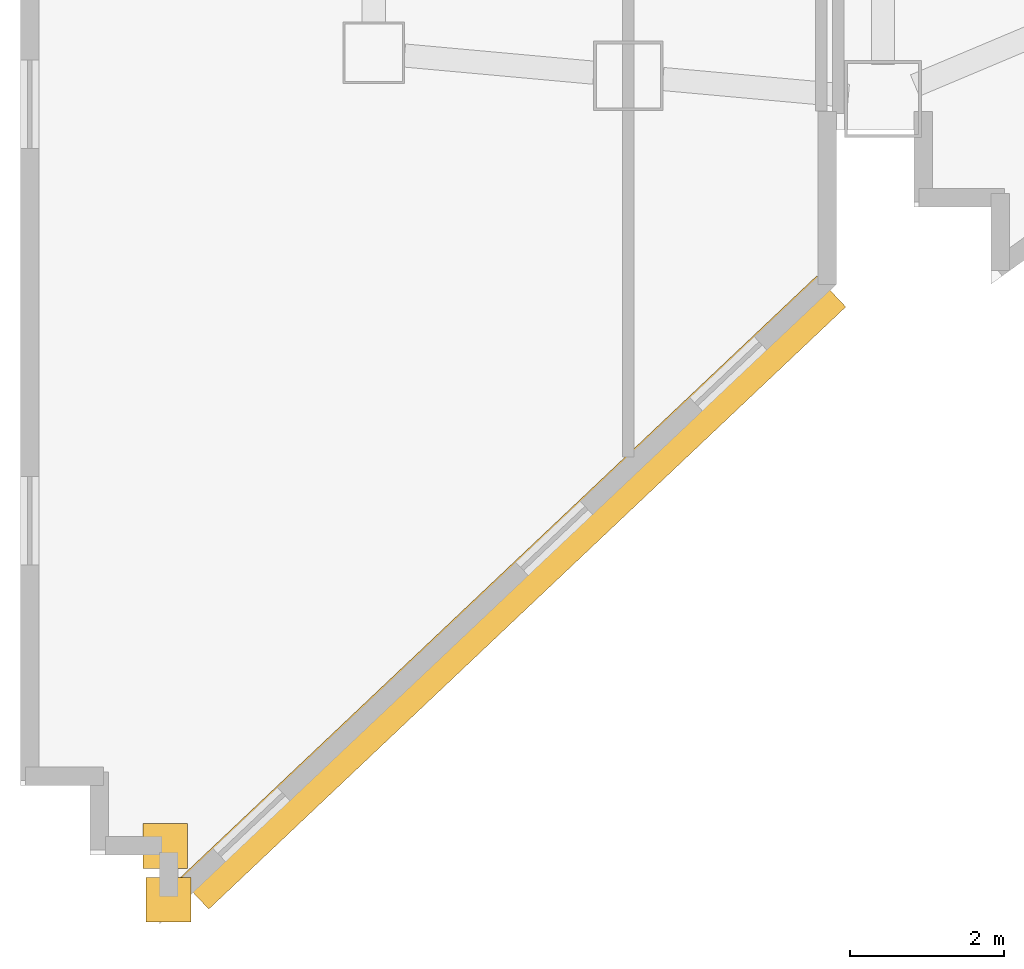
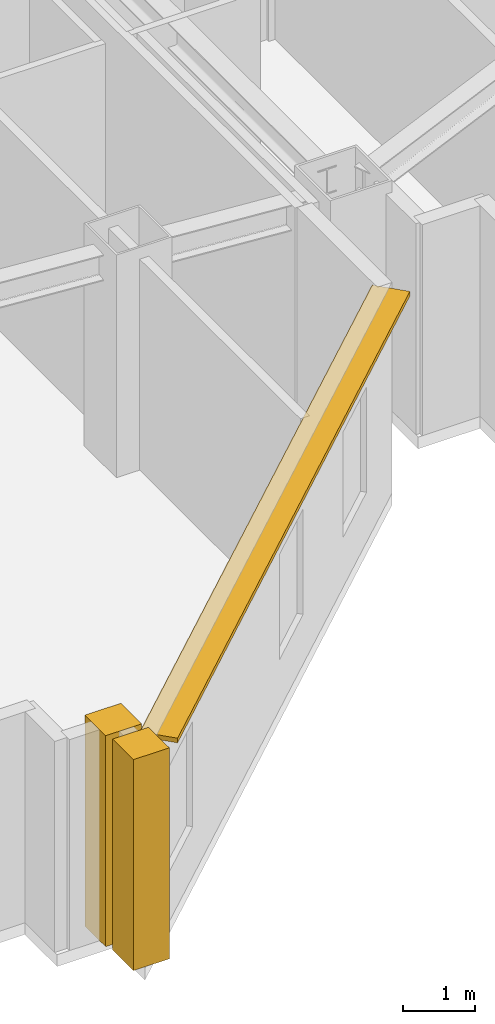
# One storey, part 12 of 13: 2 coverings, 1 shading device.
"""IFC4 building model written with IfcOpenShell, lengths in metres."""

from ifc_helpers import new_model, si_unit, direction, frame, origin, origin_2d, place, context, subcontext, project, spatial, rectangle, extrude, material, layer, layer_set, type_object, element, save


model = new_model("IFC4")

# Units and contexts
model_context = context("Model", 3, precision=1e-05, world=origin(), true_north=direction((0.0, 1.0)))
body_context = subcontext(model_context, "Body", "Model", "MODEL_VIEW")
ifc_project = project(units=[si_unit("LENGTHUNIT", "METRE"), si_unit("AREAUNIT", "SQUARE_METRE"), si_unit("VOLUMEUNIT", "CUBIC_METRE"), si_unit("PLANEANGLEUNIT", "RADIAN"), si_unit("MASSUNIT", "GRAM", prefix="KILO")], contexts=[model_context])

# Site, building, storey
site_placement = place(None, origin())
site = spatial("IfcSite", under=ifc_project, at=site_placement, CompositionType="ELEMENT")
building_placement = place(site_placement, origin())
building = spatial("IfcBuilding", under=site, at=building_placement, Name="Haolan Belvedere Tower", CompositionType="ELEMENT")
storey_placement = place(building_placement, frame((0.0, 0.0, 128.800048828125)))
storey = spatial("IfcBuildingStorey", under=building, at=storey_placement, Name="L32", CompositionType="ELEMENT", Elevation=128.800048828125)

# Coverings
ifc_material_1 = material(Name="Pale champagne-silver anodised aluminium rainscreen cladding", Category="aluminium")
ifc_layer_1 = layer(ifc_material_1, 0.034912109375, Name="Pale champagne-silver anodised aluminium rainscreen cladding")
ifc_layer_set_1 = layer_set([ifc_layer_1], Name="Pale champagne-silver anodised aluminium rainscreen cladding")
covering_type = type_object("IfcCoveringType", Name="COV-CLAD-35", PredefinedType="CLADDING", material=ifc_layer_set_1)
for number, where, z_axis, x_axis, name in (
    (1, (3.297607421875, 7.118896484375, 0.0), (0.0, 0.0, 1.0), (1.0, 0.0, 0.0), "L32 pale-metal serrated corner cladding trim 1"),
    (2, (3.340087890625, 6.420166015625, 0.0), (0.0, 0.0, 1.0), (1.0, 0.0, 0.0), "L32 pale-metal serrated corner cladding trim 2"),
):
    element("IfcCovering", number, at=place(storey_placement, frame(where, z_axis=z_axis, x_axis=x_axis)), inside=storey, type_object=covering_type, Name=name, PredefinedType="CLADDING", context=body_context, shape_type="SweptSolid", body=[
        extrude(rectangle(XDim=0.580078125, YDim=0.580078125, at=origin_2d()), origin(), (0.0, 0.0, 1.0), 3.60009765625),
    ])

# Shading device
ifc_material_2 = material(Name="Anodised champagne-silver aluminium 6063-T6", Category="aluminium")
ifc_layer_2 = layer(ifc_material_2, 0.080078125, Name="Anodised champagne-silver aluminium 6063-T6")
ifc_layer_set_2 = layer_set([ifc_layer_2], Name="Anodised champagne-silver aluminium 6063-T6")
shading_device_type = type_object("IfcShadingDeviceType", Name="SHD-SUN-550", PredefinedType="USERDEFINED", material=ifc_layer_set_2)
shading_device_placement = place(storey_placement, frame((7.80078125, 10.402099609375, 3.5), z_axis=(0.0, 0.0, 1.0), x_axis=(0.726646618623, 0.687011420316, 0.0)))
element("IfcShadingDevice", 3, at=shading_device_placement, inside=storey, type_object=shading_device_type, Name="L32 pale-metal horizontal SUNSHADE band 49.1", ObjectType="SUNSHADE", PredefinedType="USERDEFINED", context=body_context, shape_type="SweptSolid", body=[
    extrude(rectangle(XDim=11.362548828125, YDim=0.550048828125, at=origin_2d()), origin(), (0.0, 0.0, 1.0), 0.080078125),
])

save(model, "model.ifc")
